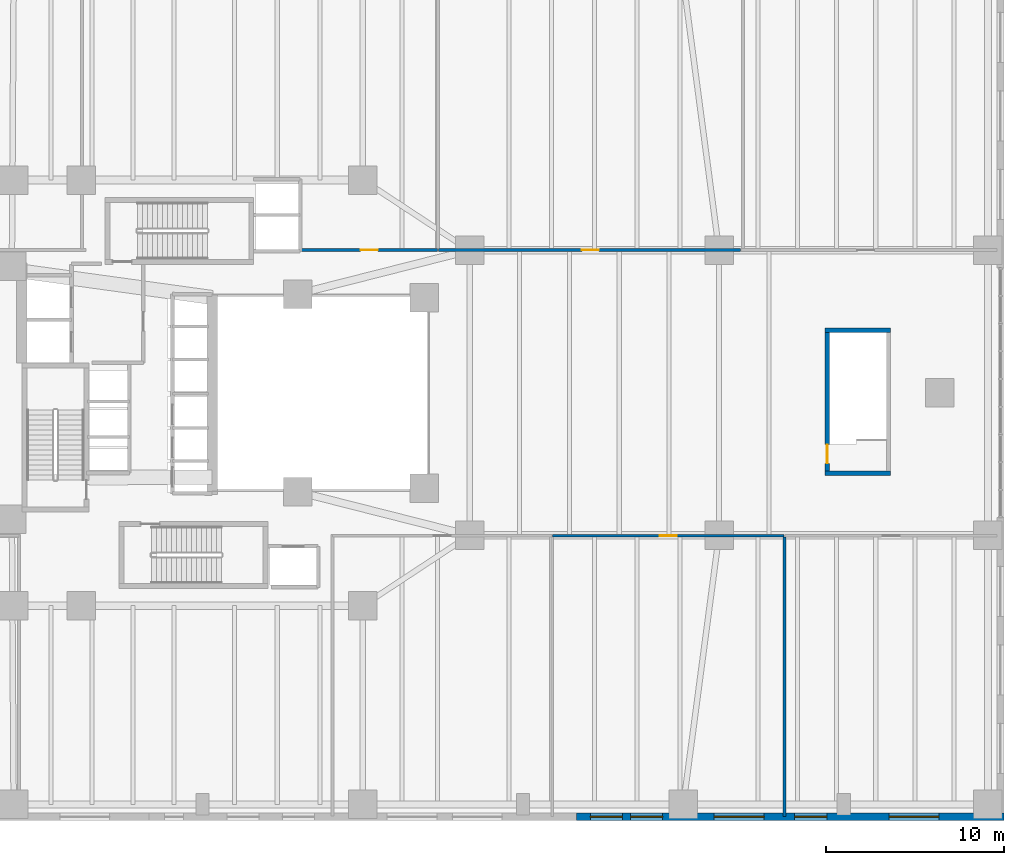
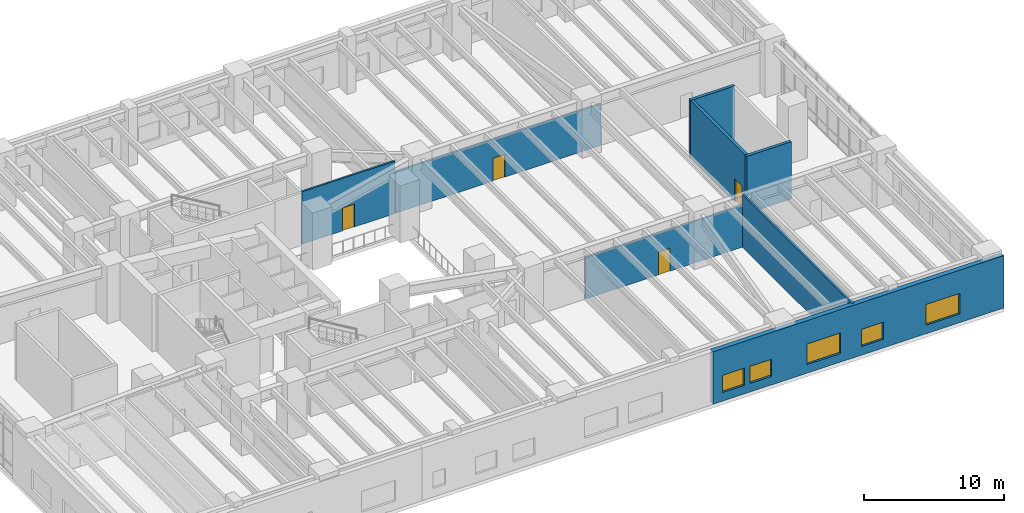
# One storey, part 14 of 18: 8 walls, 5 windows, 4 doors, 9 openings.
"""IFC4 building model written with IfcOpenShell, lengths in metres."""

from ifc_helpers import new_model, si_unit, direction, frame, frame_2d, origin, place, context, subcontext, project, spatial, rectangle, extrude, material, layer, layer_set, type_object, element, fill, save


model = new_model("IFC4")

# Units and contexts
model_context = context("Model", 3, precision=1e-05, world=origin(), true_north=direction((0.0, 1.0)))
body_context = subcontext(model_context, "Body", "Model", "MODEL_VIEW")
ifc_project = project(units=[si_unit("LENGTHUNIT", "METRE"), si_unit("AREAUNIT", "SQUARE_METRE"), si_unit("VOLUMEUNIT", "CUBIC_METRE"), si_unit("PLANEANGLEUNIT", "RADIAN"), si_unit("MASSUNIT", "GRAM", prefix="KILO"), si_unit("THERMODYNAMICTEMPERATUREUNIT", "KELVIN"), si_unit("POWERUNIT", "WATT")], contexts=[model_context])

# Site, building, storey
site_placement = place(None, origin())
site = spatial("IfcSite", under=ifc_project, at=site_placement, CompositionType="ELEMENT")
building_placement = place(site_placement, origin())
building = spatial("IfcBuilding", under=site, at=building_placement, Name="Skarre Station Tower", CompositionType="ELEMENT")
storey_placement = place(building_placement, frame((0.0, 0.0, 16.0)))
storey = spatial("IfcBuildingStorey", under=building, at=storey_placement, Name="L04", CompositionType="ELEMENT", Elevation=16.0)

# Wall, opening, door
ifc_material_1 = material(Name="Acoustic Steel-Stud Gypsum Partition", Category="steel")
ifc_layer_1 = layer(ifc_material_1, 0.14990234375, Name="Acoustic Steel-Stud Gypsum Partition")
ifc_layer_set_1 = layer_set([ifc_layer_1], Name="Acoustic Steel-Stud Gypsum Partition")
wall_type_1 = type_object("IfcWallType", Name="Fire-Rated Corridor Acoustic Partition 150", PredefinedType="PARTITIONING", material=ifc_layer_set_1)
wall_1_placement = place(storey_placement, frame((46.6640625, 15.97998046875, 0.0), z_axis=(0.0, 0.0, 1.0), x_axis=(1.0, 0.0, 0.0)))
wall_1 = element("IfcWall", 1, at=wall_1_placement, inside=storey, type_object=wall_type_1, Name="L04 Interior Partition WL-PT-L04-PDSE2-CW", PredefinedType="PARTITIONING", context=body_context, shape_type="SweptSolid", body=[
    extrude(rectangle(XDim=12.988037109375, YDim=0.14990234375, at=frame_2d((6.494140625, 0.0))), origin(), (0.0, 0.0, 1.0), 3.632080078125),
])
opening_1_placement = place(wall_1_placement, frame((6.013916015625, 0.0, 0.0)))
opening_1 = element("IfcOpeningElement", 2, at=opening_1_placement, cuts=wall_1, Name="Opening DR-FD60", PredefinedType="OPENING", context=body_context, shape_type="SweptSolid", body=[
    extrude(rectangle(XDim=0.9599609375, YDim=2.0, at=frame_2d((0.47998046875, 1.0))), frame((0.0, 0.0849609375, 0.0), z_axis=(0.0, -1.0, 0.0), x_axis=(1.0, 0.0, 0.0)), (0.0, 0.0, 1.0), 0.169921875),
])
ifc_material_2 = material(Name="Nordic White-Oak Veneer Solid-Core Fire Leaf", Category="wood")
door_type_1 = type_object("IfcDoorType", Name="Corridor Suite Entry Fire Door FD60 960x2150", OperationType="SINGLE_SWING_LEFT", PredefinedType="DOOR", material=ifc_material_2)
door_1_placement = place(opening_1_placement, origin())
door_1 = element("IfcDoor", 3, at=door_1_placement, inside=storey, type_object=door_type_1, Name="L04 PDSE2 Entry Door", OperationType="SINGLE_SWING_LEFT", OverallHeight=2.0, OverallWidth=0.9599609375, PredefinedType="DOOR", context=body_context, shape_type="SweptSolid", body=[
    extrude(rectangle(XDim=0.9599609375, YDim=2.0, at=frame_2d((0.47998046875, 1.0))), frame((0.0, 0.02490234375, 0.0), z_axis=(0.0, -1.0, 0.0), x_axis=(1.0, 0.0, 0.0)), (0.0, 0.0, 1.0), 0.050048828125),
])
fill(opening_1, door_1)

wall_2_placement = place(storey_placement, frame((40.18701171875, 32.02001953125, 0.0), z_axis=(0.0, 0.0, 1.0), x_axis=(-1.0, 0.0, 0.0)))
wall_2 = element("IfcWall", 4, at=wall_2_placement, inside=storey, type_object=wall_type_1, Name="L04 Interior Partition WL-PT-L04-PDN2-CW", PredefinedType="PARTITIONING", context=body_context, shape_type="SweptSolid", body=[
    extrude(rectangle(XDim=7.64599609375, YDim=0.14990234375, at=frame_2d((3.822998046875, 0.0))), origin(), (0.0, 0.0, 1.0), 4.580078125),
])
opening_2_placement = place(wall_2_placement, frame((3.343017578125, 0.0, 0.0)))
opening_2 = element("IfcOpeningElement", 5, at=opening_2_placement, cuts=wall_2, Name="Opening DR-FD60", PredefinedType="OPENING", context=body_context, shape_type="SweptSolid", body=[
    extrude(rectangle(XDim=0.9599609375, YDim=2.0, at=frame_2d((0.47998046875, 1.0))), frame((0.0, 0.0849609375, 0.0), z_axis=(0.0, -1.0, 0.0), x_axis=(1.0, 0.0, 0.0)), (0.0, 0.0, 1.0), 0.169921875),
])
door_2_placement = place(opening_2_placement, origin())
door_2 = element("IfcDoor", 6, at=door_2_placement, inside=storey, type_object=door_type_1, Name="L04 PDN2 Entry Door", OperationType="SINGLE_SWING_LEFT", OverallHeight=2.0, OverallWidth=0.9599609375, PredefinedType="DOOR", context=body_context, shape_type="SweptSolid", body=[
    extrude(rectangle(XDim=0.9599609375, YDim=2.0, at=frame_2d((0.47998046875, 1.0))), frame((0.0, 0.02490234375, 0.0), z_axis=(0.0, -1.0, 0.0), x_axis=(1.0, 0.0, 0.0)), (0.0, 0.0, 1.0), 0.050048828125),
])
fill(opening_2, door_2)

wall_3_placement = place(storey_placement, frame((57.214111328125, 32.02001953125, 0.0), z_axis=(0.0, 0.0, 1.0), x_axis=(-1.0, 0.0, 0.0)))
wall_3 = element("IfcWall", 7, at=wall_3_placement, inside=storey, type_object=wall_type_1, Name="L04 Interior Partition WL-PT-L04-PDN3-CW", PredefinedType="PARTITIONING", context=body_context, shape_type="SweptSolid", body=[
    extrude(rectangle(XDim=16.97509765625, YDim=0.14990234375, at=frame_2d((8.487548828125, 0.0))), origin(), (0.0, 0.0, 1.0), 3.632080078125),
])
opening_3_placement = place(wall_3_placement, frame((7.9560546875, 0.0, 0.0)))
opening_3 = element("IfcOpeningElement", 8, at=opening_3_placement, cuts=wall_3, Name="Opening DR-FD60", PredefinedType="OPENING", context=body_context, shape_type="SweptSolid", body=[
    extrude(rectangle(XDim=0.9599609375, YDim=2.0, at=frame_2d((0.47998046875, 1.0))), frame((0.0, 0.0849609375, 0.0), z_axis=(0.0, -1.0, 0.0), x_axis=(1.0, 0.0, 0.0)), (0.0, 0.0, 1.0), 0.169921875),
])
door_3_placement = place(opening_3_placement, origin())
door_3 = element("IfcDoor", 9, at=door_3_placement, inside=storey, type_object=door_type_1, Name="L04 PDN3 Entry Door", OperationType="SINGLE_SWING_LEFT", OverallHeight=2.0, OverallWidth=0.9599609375, PredefinedType="DOOR", context=body_context, shape_type="SweptSolid", body=[
    extrude(rectangle(XDim=0.9599609375, YDim=2.0, at=frame_2d((0.47998046875, 1.0))), frame((0.0, 0.02490234375, 0.0), z_axis=(0.0, -1.0, 0.0), x_axis=(1.0, 0.0, 0.0)), (0.0, 0.0, 1.0), 0.050048828125),
])
fill(opening_3, door_3)

# Wall, openings, windows
ifc_material_3 = material(Name="Precast concrete C45/55", Category="concrete")
ifc_layer_2 = layer(ifc_material_3, 0.39990234375, Name="Precast concrete C45/55")
ifc_layer_set_2 = layer_set([ifc_layer_2], Name="Precast concrete C45/55")
wall_type_2 = type_object("IfcWallType", Name="Nordic Granite Station Podium Wall 400", PredefinedType="STANDARD", material=ifc_layer_set_2)
wall_4_placement = place(storey_placement, frame((72.0, 0.199951171875, 0.0), z_axis=(0.0, 0.0, 1.0), x_axis=(-1.0, 0.0, 0.0)))
wall_4 = element("IfcWall", 10, at=wall_4_placement, inside=storey, type_object=wall_type_2, Name="L04 South Podium Granite Wall SA", PredefinedType="STANDARD", context=body_context, shape_type="SweptSolid", body=[
    extrude(rectangle(XDim=24.0, YDim=0.39990234375, at=frame_2d((12.0, 0.0))), origin(), (0.0, 0.0, 1.0), 4.580078125),
])
opening_4_placement = place(wall_4_placement, frame((3.64990234375, 0.0, 0.75)))
opening_4 = element("IfcOpeningElement", 11, at=opening_4_placement, cuts=wall_4, Name="Opening WN-POD", PredefinedType="OPENING", context=body_context, shape_type="SweptSolid", body=[
    extrude(rectangle(XDim=2.800048828125, YDim=1.800048828125, at=frame_2d((1.39990234375, 0.89990234375))), frame((0.0, 0.2099609375, 0.0), z_axis=(0.0, -1.0, 0.0), x_axis=(1.0, 0.0, 0.0)), (0.0, 0.0, 1.0), 0.419921875),
])
opening_5_placement = place(wall_4_placement, frame((9.949951171875, 0.0, 0.75)))
opening_5 = element("IfcOpeningElement", 12, at=opening_5_placement, cuts=wall_4, Name="Opening WN-Z1A", PredefinedType="OPENING", context=body_context, shape_type="SweptSolid", body=[
    extrude(rectangle(XDim=1.800048828125, YDim=1.5, at=frame_2d((0.89990234375, 0.75))), frame((0.0, 0.2099609375, 0.0), z_axis=(0.0, -1.0, 0.0), x_axis=(1.0, 0.0, 0.0)), (0.0, 0.0, 1.0), 0.419921875),
])
opening_6_placement = place(wall_4_placement, frame((13.471923828125, 0.0, 0.75)))
opening_6 = element("IfcOpeningElement", 13, at=opening_6_placement, cuts=wall_4, Name="Opening WN-POD", PredefinedType="OPENING", context=body_context, shape_type="SweptSolid", body=[
    extrude(rectangle(XDim=2.800048828125, YDim=1.800048828125, at=frame_2d((1.39990234375, 0.89990234375))), frame((0.0, 0.2099609375, 0.0), z_axis=(0.0, -1.0, 0.0), x_axis=(1.0, 0.0, 0.0)), (0.0, 0.0, 1.0), 0.419921875),
])
opening_7_placement = place(wall_4_placement, frame((19.16796875, 0.0, 0.75)))
opening_7 = element("IfcOpeningElement", 14, at=opening_7_placement, cuts=wall_4, Name="Opening WN-Z1A", PredefinedType="OPENING", context=body_context, shape_type="SweptSolid", body=[
    extrude(rectangle(XDim=1.800048828125, YDim=1.5, at=frame_2d((0.89990234375, 0.75))), frame((0.0, 0.2099609375, 0.0), z_axis=(0.0, -1.0, 0.0), x_axis=(1.0, 0.0, 0.0)), (0.0, 0.0, 1.0), 0.419921875),
])
opening_8_placement = place(wall_4_placement, frame((21.422119140625, 0.0, 0.75)))
opening_8 = element("IfcOpeningElement", 15, at=opening_8_placement, cuts=wall_4, Name="Opening WN-Z1A", PredefinedType="OPENING", context=body_context, shape_type="SweptSolid", body=[
    extrude(rectangle(XDim=1.800048828125, YDim=1.5, at=frame_2d((0.89990234375, 0.75))), frame((0.0, 0.2099609375, 0.0), z_axis=(0.0, -1.0, 0.0), x_axis=(1.0, 0.0, 0.0)), (0.0, 0.0, 1.0), 0.419921875),
])
ifc_material_4 = material(Name="Low-Iron Triple Glazing with Bronze Anodized Frame", Category="glass")
window_type_1 = type_object("IfcWindowType", Name="Nordic Punched Triple-Glazed Window 1800x1500", PartitioningType="SINGLE_PANEL", PredefinedType="WINDOW", material=ifc_material_4)
window_1_placement = place(opening_5_placement, origin())
window_1 = element("IfcWindow", 16, at=window_1_placement, inside=storey, type_object=window_type_1, Name="L04 Facade Window WL-POD-L04-SA-2", OverallHeight=1.5, OverallWidth=1.800048828125, PartitioningType="SINGLE_PANEL", PredefinedType="WINDOW", context=body_context, shape_type="SweptSolid", body=[
    extrude(rectangle(XDim=1.800048828125, YDim=1.5, at=frame_2d((0.89990234375, 0.75))), frame((0.0, 0.030029296875, 0.0), z_axis=(0.0, -1.0, 0.0), x_axis=(1.0, 0.0, 0.0)), (0.0, 0.0, 1.0), 0.06005859375),
])
fill(opening_5, window_1)
window_2_placement = place(opening_7_placement, origin())
window_2 = element("IfcWindow", 17, at=window_2_placement, inside=storey, type_object=window_type_1, Name="L04 Facade Window WL-POD-L04-SA-4", OverallHeight=1.5, OverallWidth=1.800048828125, PartitioningType="SINGLE_PANEL", PredefinedType="WINDOW", context=body_context, shape_type="SweptSolid", body=[
    extrude(rectangle(XDim=1.800048828125, YDim=1.5, at=frame_2d((0.89990234375, 0.75))), frame((0.0, 0.030029296875, 0.0), z_axis=(0.0, -1.0, 0.0), x_axis=(1.0, 0.0, 0.0)), (0.0, 0.0, 1.0), 0.06005859375),
])
fill(opening_7, window_2)
window_3_placement = place(opening_8_placement, origin())
window_3 = element("IfcWindow", 18, at=window_3_placement, inside=storey, type_object=window_type_1, Name="L04 Facade Window WL-POD-L04-SA-5", OverallHeight=1.5, OverallWidth=1.800048828125, PartitioningType="SINGLE_PANEL", PredefinedType="WINDOW", context=body_context, shape_type="SweptSolid", body=[
    extrude(rectangle(XDim=1.800048828125, YDim=1.5, at=frame_2d((0.89990234375, 0.75))), frame((0.0, 0.030029296875, 0.0), z_axis=(0.0, -1.0, 0.0), x_axis=(1.0, 0.0, 0.0)), (0.0, 0.0, 1.0), 0.06005859375),
])
fill(opening_8, window_3)
window_type_2 = type_object("IfcWindowType", Name="Podium Clerestory Ribbon Window 2800x1800", PartitioningType="SINGLE_PANEL", PredefinedType="WINDOW", material=ifc_material_4)
window_4_placement = place(opening_4_placement, origin())
window_4 = element("IfcWindow", 19, at=window_4_placement, inside=storey, type_object=window_type_2, Name="L04 Facade Window WL-POD-L04-SA-1", OverallHeight=1.800048828125, OverallWidth=2.800048828125, PartitioningType="SINGLE_PANEL", PredefinedType="WINDOW", context=body_context, shape_type="SweptSolid", body=[
    extrude(rectangle(XDim=2.800048828125, YDim=1.800048828125, at=frame_2d((1.39990234375, 0.89990234375))), frame((0.0, 0.030029296875, 0.0), z_axis=(0.0, -1.0, 0.0), x_axis=(1.0, 0.0, 0.0)), (0.0, 0.0, 1.0), 0.06005859375),
])
fill(opening_4, window_4)
window_5_placement = place(opening_6_placement, origin())
window_5 = element("IfcWindow", 20, at=window_5_placement, inside=storey, type_object=window_type_2, Name="L04 Facade Window WL-POD-L04-SA-3", OverallHeight=1.800048828125, OverallWidth=2.800048828125, PartitioningType="SINGLE_PANEL", PredefinedType="WINDOW", context=body_context, shape_type="SweptSolid", body=[
    extrude(rectangle(XDim=2.800048828125, YDim=1.800048828125, at=frame_2d((1.39990234375, 0.89990234375))), frame((0.0, 0.030029296875, 0.0), z_axis=(0.0, -1.0, 0.0), x_axis=(1.0, 0.0, 0.0)), (0.0, 0.0, 1.0), 0.06005859375),
])
fill(opening_6, window_5)

# Walls
ifc_material_5 = material(Name="Concrete C50/60", Category="concrete")
ifc_layer_3 = layer(ifc_material_5, 0.239990234375, Name="Concrete C50/60")
ifc_layer_set_3 = layer_set([ifc_layer_3], Name="Concrete C50/60")
wall_type_3 = type_object("IfcWallType", Name="RC Core Shear Wall 240", PredefinedType="SHEAR", material=ifc_layer_set_3)
for number, where, z_axis, x_axis, name in (
    (21, (61.9599609375, 19.47998046875, 0.0), (0.0, 0.0, 1.0), (1.0, 0.0, 0.0), "L04 Podium Stair ST-5 South Shear Wall"),
    (22, (65.639892578125, 27.52001953125, 0.0), (0.0, 0.0, 1.0), (-1.0, 0.0, 0.0), "L04 Podium Stair ST-5 North Shear Wall"),
):
    element("IfcWall", number, at=place(storey_placement, frame(where, z_axis=z_axis, x_axis=x_axis)), inside=storey, type_object=wall_type_3, Name=name, PredefinedType="SHEAR", context=body_context, shape_type="SweptSolid", body=[
        extrude(rectangle(XDim=3.679931640625, YDim=0.239990234375, at=frame_2d((1.83984375, 0.0))), origin(), (0.0, 0.0, 1.0), 5.0),
    ])

# Wall, opening, door
wall_5_placement = place(storey_placement, frame((62.080078125, 27.39990234375, 0.0), z_axis=(0.0, 0.0, 1.0), x_axis=(0.0, -1.0, 0.0)))
wall_5 = element("IfcWall", 23, at=wall_5_placement, inside=storey, type_object=wall_type_3, Name="L04 Podium Stair ST-5 West Shear Wall", PredefinedType="SHEAR", context=body_context, shape_type="SweptSolid", body=[
    extrude(rectangle(XDim=7.7998046875, YDim=0.239990234375, at=frame_2d((3.89990234375, 0.0))), origin(), (0.0, 0.0, 1.0), 5.0),
])
opening_9_placement = place(wall_5_placement, frame((6.31005859375, 0.0, 0.0)))
opening_9 = element("IfcOpeningElement", 24, at=opening_9_placement, cuts=wall_5, Name="Opening DR-FD90", PredefinedType="OPENING", context=body_context, shape_type="SweptSolid", body=[
    extrude(rectangle(XDim=1.050048828125, YDim=2.0, at=frame_2d((0.52490234375, 1.0))), frame((0.0, 0.1298828125, 0.0), z_axis=(0.0, -1.0, 0.0), x_axis=(1.0, 0.0, 0.0)), (0.0, 0.0, 1.0), 0.260009765625),
])
ifc_material_6 = material(Name="Fire-Rated Insulated Steel Frame & Timber Core Leaf", Category="steel")
door_type_2 = type_object("IfcDoorType", Name="Stair & FSAE Lobby Fire Door FD90 1050x2150", OperationType="SINGLE_SWING_RIGHT", PredefinedType="DOOR", material=ifc_material_6)
door_4_placement = place(opening_9_placement, origin())
door_4 = element("IfcDoor", 25, at=door_4_placement, inside=storey, type_object=door_type_2, Name="L04 Podium Stair ST-5 Exit Door", OperationType="SINGLE_SWING_LEFT", OverallHeight=2.0, OverallWidth=1.050048828125, PredefinedType="DOOR", context=body_context, shape_type="SweptSolid", body=[
    extrude(rectangle(XDim=1.050048828125, YDim=2.0, at=frame_2d((0.52490234375, 1.0))), frame((0.0, 0.02490234375, 0.0), z_axis=(0.0, -1.0, 0.0), x_axis=(1.0, 0.0, 0.0)), (0.0, 0.0, 1.0), 0.050048828125),
])
fill(opening_9, door_4)

# Wall
ifc_layer_4 = layer(ifc_material_1, 0.1650390625, Name="Acoustic Steel-Stud Gypsum Partition")
ifc_layer_set_4 = layer_set([ifc_layer_4], Name="Acoustic Steel-Stud Gypsum Partition")
wall_type_4 = type_object("IfcWallType", Name="Suite Demising Acoustic Partition 165", PredefinedType="PARTITIONING", material=ifc_layer_set_4)
wall_6_placement = place(storey_placement, frame((59.677978515625, 0.22998046875, 0.0), z_axis=(0.0, 0.0, 1.0), x_axis=(0.0, 1.0, 0.0)))
element("IfcWall", 26, at=wall_6_placement, inside=storey, type_object=wall_type_4, Name="L04 Interior Partition WL-PT-L04-PDSE-P2", PredefinedType="PARTITIONING", context=body_context, shape_type="SweptSolid", body=[
    extrude(rectangle(XDim=15.679931640625, YDim=0.1650390625, at=frame_2d((7.83984375, 0.0))), origin(), (0.0, 0.0, 1.0), 4.580078125),
])

save(model, "model.ifc")
